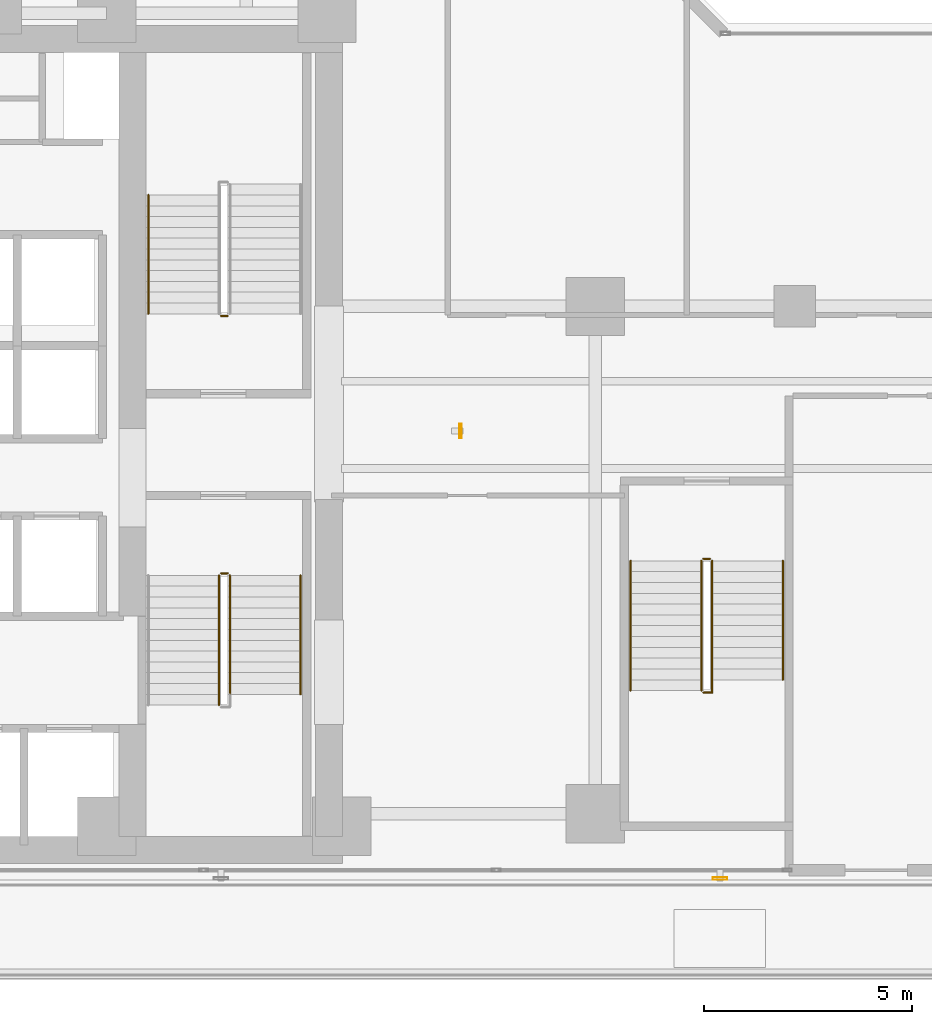
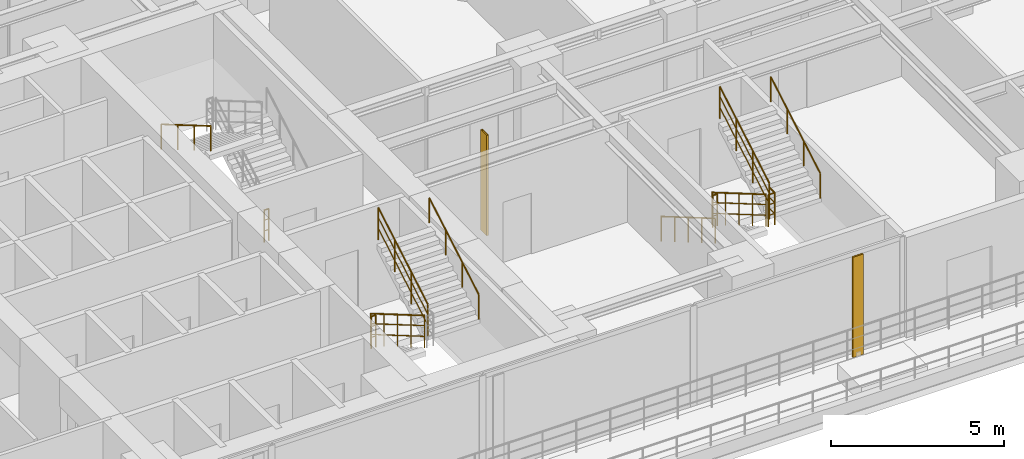
# One storey, part 23 of 26: 12 railings, 2 shading devices.
"""IFC4 building model written with IfcOpenShell, lengths in metres."""

from ifc_helpers import new_model, si_unit, direction, frame, origin, origin_2d, place, context, subcontext, project, spatial, hollow_rectangle, circle, extrude, material, material_profile, profile_set, type_object, element, save


model = new_model("IFC4")

# Units and contexts
model_context = context("Model", 3, precision=1e-05, world=origin(), true_north=direction((0.0, 1.0)))
body_context = subcontext(model_context, "Body", "Model", "MODEL_VIEW")
ifc_project = project(units=[si_unit("LENGTHUNIT", "METRE"), si_unit("AREAUNIT", "SQUARE_METRE"), si_unit("VOLUMEUNIT", "CUBIC_METRE"), si_unit("PLANEANGLEUNIT", "RADIAN"), si_unit("MASSUNIT", "GRAM", prefix="KILO")], contexts=[model_context])

# Site, building, storey
site_placement = place(None, origin())
site = spatial("IfcSite", under=ifc_project, at=site_placement, CompositionType="ELEMENT")
building_placement = place(site_placement, origin())
building = spatial("IfcBuilding", under=site, at=building_placement, Name="Kolvaren Waterfront Exchange", CompositionType="ELEMENT")
storey_placement = place(building_placement, frame((0.0, 0.0, 87.89990234375)))
storey = spatial("IfcBuildingStorey", under=building, at=storey_placement, Name="L22", CompositionType="ELEMENT", Elevation=87.89990234375)

# Shading devices
ifc_material_1 = material(Name="Anodised bronze aluminium 6063-T6", Category="aluminium")
ifc_material_profile = material_profile(ifc_material_1, hollow_rectangle(XDim=0.06005859375, YDim=0.35009765625, WallThickness=0.0048828125, at=origin_2d()), Name="BRZ-FIN-350x60x5")
ifc_profile_set = profile_set([ifc_material_profile], Name="Anodised bronze aluminium 6063-T6")
shading_device_type = type_object("IfcShadingDeviceType", Name="ARC-FIN-350", PredefinedType="USERDEFINED", material=ifc_profile_set)
for number, where, z_axis, x_axis, name in (
    (1, (30.199951171875, 3.639892578125, 0.0), (0.0, 0.0, 1.0), (0.0, -1.0, 0.0), "L22 anodised bronze solar shading fin FIN-L22-S3"),
    (2, (23.9599609375, 14.39990234375, 0.0), (0.0, 0.0, 1.0), (1.0, 0.0, 0.0), "L22 anodised bronze solar shading fin FIN-L22-E1"),
):
    element("IfcShadingDevice", number, at=place(storey_placement, frame(where, z_axis=z_axis, x_axis=x_axis)), inside=storey, type_object=shading_device_type, Name=name, ObjectType="SOLAR FIN", PredefinedType="USERDEFINED", context=body_context, shape_type="SweptSolid", body=[
        extrude(hollow_rectangle(XDim=0.06005859375, YDim=0.35009765625, WallThickness=0.0048828125, at=origin_2d()), origin(), (0.0, 0.0, 1.0), 3.5400390625),
    ])

# Railings
ifc_material_2 = material(Name="Stainless steel 316", Category="steel")
railing_type_1 = type_object("IfcRailingType", Name="ARC-GUARD-STAIR", PredefinedType="GUARDRAIL", material=ifc_material_2)
railing_1_placement = place(storey_placement, frame((18.14990234375, 10.929931640625, 0.152099609375)))
element("IfcRailing", 3, at=railing_1_placement, inside=storey, type_object=railing_type_1, Name="L22 ST1 stair guard 1", PredefinedType="GUARDRAIL", context=body_context, shape_type="SweptSolid", body=[
    extrude(circle(Radius=0.02392578125, at=origin_2d()), frame((0.0, 0.0, 1.1259765625), z_axis=(0.0, -0.86329090724, 0.504706656858), x_axis=(1.0, 0.0, 0.0)), (0.0, 0.0, 1.0), 3.614013671875),
    extrude(circle(Radius=0.01611328125, at=origin_2d()), frame((0.0, 0.0, 0.390869140625), z_axis=(0.0, -0.86329090724, 0.504706656858), x_axis=(1.0, 0.0, 0.0)), (0.0, 0.0, 1.0), 3.614013671875),
    extrude(circle(Radius=0.01611328125, at=origin_2d()), frame((0.0, 0.0, 0.7705078125), z_axis=(0.0, -0.86329090724, 0.504706656858), x_axis=(1.0, 0.0, 0.0)), (0.0, 0.0, 1.0), 3.614013671875),
    extrude(circle(Radius=0.02099609375, at=origin_2d()), origin(), (0.0, 0.0, 1.0), 1.101806640625),
    extrude(circle(Radius=0.02099609375, at=origin_2d()), frame((0.0, -0.780029296875, 0.4560546875)), (0.0, 0.0, 1.0), 1.101806640625),
    extrude(circle(Radius=0.02099609375, at=origin_2d()), frame((0.0, -1.56005859375, 0.912109375)), (0.0, 0.0, 1.0), 1.101806640625),
    extrude(circle(Radius=0.02099609375, at=origin_2d()), frame((0.0, -2.33984375, 1.367919921875)), (0.0, 0.0, 1.0), 1.101806640625),
    extrude(circle(Radius=0.02099609375, at=origin_2d()), frame((0.0, -3.119873046875, 1.823974609375)), (0.0, 0.0, 1.0), 1.101806640625),
])
railing_2_placement = place(storey_placement, frame((18.409912109375, 8.070068359375, 2.128173828125)))
element("IfcRailing", 4, at=railing_2_placement, inside=storey, type_object=railing_type_1, Name="L22 ST1 stair guard 3", PredefinedType="GUARDRAIL", context=body_context, shape_type="SweptSolid", body=[
    extrude(circle(Radius=0.02392578125, at=origin_2d()), frame((0.0, 0.0, 1.1259765625), z_axis=(0.0, 0.86330272217, 0.504686447108), x_axis=(-1.0, 0.0, 0.0)), (0.0, 0.0, 1.0), 3.312744140625),
    extrude(circle(Radius=0.01611328125, at=origin_2d()), frame((0.0, 0.0, 0.390869140625), z_axis=(0.0, 0.86330272217, 0.504686447108), x_axis=(-1.0, 0.0, 0.0)), (0.0, 0.0, 1.0), 3.312744140625),
    extrude(circle(Radius=0.01611328125, at=origin_2d()), frame((0.0, 0.0, 0.7705078125), z_axis=(0.0, 0.86330272217, 0.504686447108), x_axis=(-1.0, 0.0, 0.0)), (0.0, 0.0, 1.0), 3.312744140625),
    extrude(circle(Radius=0.02099609375, at=origin_2d()), origin(), (0.0, 0.0, 1.0), 1.101806640625),
    extrude(circle(Radius=0.02099609375, at=origin_2d()), frame((0.0, 0.953369140625, 0.557373046875)), (0.0, 0.0, 1.0), 1.101806640625),
    extrude(circle(Radius=0.02099609375, at=origin_2d()), frame((0.0, 1.906494140625, 1.114501953125)), (0.0, 0.0, 1.0), 1.101806640625),
    extrude(circle(Radius=0.02099609375, at=origin_2d()), frame((0.0, 2.85986328125, 1.671875)), (0.0, 0.0, 1.0), 1.101806640625),
])
railing_3_placement = place(storey_placement, frame((18.199951171875, 10.97998046875, 0.0)))
element("IfcRailing", 5, at=railing_3_placement, inside=storey, type_object=railing_type_1, Name="L22 ST1 stair guard 4", PredefinedType="GUARDRAIL", context=body_context, shape_type="SweptSolid", body=[
    extrude(circle(Radius=0.02392578125, at=origin_2d()), frame((0.0, 0.0, 1.1259765625), z_axis=(1.0, 0.0, 0.0), x_axis=(0.0, 1.0, 0.0)), (0.0, 0.0, 1.0), 0.16015625),
    extrude(circle(Radius=0.01611328125, at=origin_2d()), frame((0.0, 0.0, 0.390869140625), z_axis=(1.0, 0.0, 0.0), x_axis=(0.0, 1.0, 0.0)), (0.0, 0.0, 1.0), 0.16015625),
    extrude(circle(Radius=0.01611328125, at=origin_2d()), frame((0.0, 0.0, 0.7705078125), z_axis=(1.0, 0.0, 0.0), x_axis=(0.0, 1.0, 0.0)), (0.0, 0.0, 1.0), 0.16015625),
    extrude(circle(Radius=0.02099609375, at=origin_2d()), origin(), (0.0, 0.0, 1.0), 1.101806640625),
    extrude(circle(Radius=0.02099609375, at=origin_2d()), frame((0.16015625, 0.0, 0.0)), (0.0, 0.0, 1.0), 1.101806640625),
])
railing_4_placement = place(storey_placement, frame((18.360107421875, 17.169921875, 0.0)))
element("IfcRailing", 6, at=railing_4_placement, inside=storey, type_object=railing_type_1, Name="L22 ST2 stair guard 4", PredefinedType="GUARDRAIL", context=body_context, shape_type="SweptSolid", body=[
    extrude(circle(Radius=0.02392578125, at=origin_2d()), frame((0.0, 0.0, 1.1259765625), z_axis=(-1.0, 0.0, 0.0), x_axis=(0.0, -1.0, 0.0)), (0.0, 0.0, 1.0), 0.16015625),
    extrude(circle(Radius=0.01611328125, at=origin_2d()), frame((0.0, 0.0, 0.390869140625), z_axis=(-1.0, 0.0, 0.0), x_axis=(0.0, -1.0, 0.0)), (0.0, 0.0, 1.0), 0.16015625),
    extrude(circle(Radius=0.01611328125, at=origin_2d()), frame((0.0, 0.0, 0.7705078125), z_axis=(-1.0, 0.0, 0.0), x_axis=(0.0, -1.0, 0.0)), (0.0, 0.0, 1.0), 0.16015625),
    extrude(circle(Radius=0.02099609375, at=origin_2d()), origin(), (0.0, 0.0, 1.0), 1.101806640625),
    extrude(circle(Radius=0.02099609375, at=origin_2d()), frame((-0.16015625, 0.0, 0.0)), (0.0, 0.0, 1.0), 1.101806640625),
])
railing_5_placement = place(storey_placement, frame((29.75, 11.280029296875, 0.152099609375)))
element("IfcRailing", 7, at=railing_5_placement, inside=storey, type_object=railing_type_1, Name="L22 ST3 stair guard 1", PredefinedType="GUARDRAIL", context=body_context, shape_type="SweptSolid", body=[
    extrude(circle(Radius=0.02392578125, at=origin_2d()), frame((0.0, 0.0, 1.1259765625), z_axis=(0.0, -0.86330811405, 0.504677223793), x_axis=(1.0, 0.0, 0.0)), (0.0, 0.0, 1.0), 3.6142578125),
    extrude(circle(Radius=0.01611328125, at=origin_2d()), frame((0.0, 0.0, 0.390869140625), z_axis=(0.0, -0.86330811405, 0.504677223793), x_axis=(1.0, 0.0, 0.0)), (0.0, 0.0, 1.0), 3.6142578125),
    extrude(circle(Radius=0.01611328125, at=origin_2d()), frame((0.0, 0.0, 0.7705078125), z_axis=(0.0, -0.86330811405, 0.504677223793), x_axis=(1.0, 0.0, 0.0)), (0.0, 0.0, 1.0), 3.6142578125),
    extrude(circle(Radius=0.02099609375, at=origin_2d()), origin(), (0.0, 0.0, 1.0), 1.101806640625),
    extrude(circle(Radius=0.02099609375, at=origin_2d()), frame((0.0, -0.780029296875, 0.4560546875)), (0.0, 0.0, 1.0), 1.101806640625),
    extrude(circle(Radius=0.02099609375, at=origin_2d()), frame((0.0, -1.56005859375, 0.912109375)), (0.0, 0.0, 1.0), 1.101806640625),
    extrude(circle(Radius=0.02099609375, at=origin_2d()), frame((0.0, -2.340087890625, 1.367919921875)), (0.0, 0.0, 1.0), 1.101806640625),
    extrude(circle(Radius=0.02099609375, at=origin_2d()), frame((0.0, -3.1201171875, 1.823974609375)), (0.0, 0.0, 1.0), 1.101806640625),
])
railing_6_placement = place(storey_placement, frame((29.800048828125, 8.110107421875, 1.97607421875)))
element("IfcRailing", 8, at=railing_6_placement, inside=storey, type_object=railing_type_1, Name="L22 ST3 stair guard 2", PredefinedType="GUARDRAIL", context=body_context, shape_type="SweptSolid", body=[
    extrude(circle(Radius=0.02392578125, at=origin_2d()), frame((0.0, 0.0, 1.1259765625), z_axis=(1.0, 0.0, 0.0), x_axis=(0.0, 1.0, 0.0)), (0.0, 0.0, 1.0), 0.2099609375),
    extrude(circle(Radius=0.01611328125, at=origin_2d()), frame((0.0, 0.0, 0.390869140625), z_axis=(1.0, 0.0, 0.0), x_axis=(0.0, 1.0, 0.0)), (0.0, 0.0, 1.0), 0.2099609375),
    extrude(circle(Radius=0.01611328125, at=origin_2d()), frame((0.0, 0.0, 0.7705078125), z_axis=(1.0, 0.0, 0.0), x_axis=(0.0, 1.0, 0.0)), (0.0, 0.0, 1.0), 0.2099609375),
    extrude(circle(Radius=0.02392578125, at=origin_2d()), frame((0.2099609375, 0.0, 1.1259765625), z_axis=(0.0, 1.0, 0.0), x_axis=(-1.0, 0.0, 0.0)), (0.0, 0.0, 1.0), 0.309814453125),
    extrude(circle(Radius=0.01611328125, at=origin_2d()), frame((0.2099609375, 0.0, 0.390869140625), z_axis=(0.0, 1.0, 0.0), x_axis=(-1.0, 0.0, 0.0)), (0.0, 0.0, 1.0), 0.309814453125),
    extrude(circle(Radius=0.01611328125, at=origin_2d()), frame((0.2099609375, 0.0, 0.7705078125), z_axis=(0.0, 1.0, 0.0), x_axis=(-1.0, 0.0, 0.0)), (0.0, 0.0, 1.0), 0.309814453125),
    extrude(circle(Radius=0.02099609375, at=origin_2d()), origin(), (0.0, 0.0, 1.0), 1.101806640625),
    extrude(circle(Radius=0.02099609375, at=origin_2d()), frame((0.2099609375, 0.0, 0.0)), (0.0, 0.0, 1.0), 1.101806640625),
    extrude(circle(Radius=0.02099609375, at=origin_2d()), frame((0.2099609375, 0.309814453125, 0.0)), (0.0, 0.0, 1.0), 1.101806640625),
])
railing_7_placement = place(storey_placement, frame((30.010009765625, 8.419921875, 2.128173828125)))
element("IfcRailing", 9, at=railing_7_placement, inside=storey, type_object=railing_type_1, Name="L22 ST3 stair guard 3", PredefinedType="GUARDRAIL", context=body_context, shape_type="SweptSolid", body=[
    extrude(circle(Radius=0.02392578125, at=origin_2d()), frame((0.0, 0.0, 1.1259765625), z_axis=(0.0, 0.863321491973, 0.504654338629), x_axis=(-1.0, 0.0, 0.0)), (0.0, 0.0, 1.0), 3.31298828125),
    extrude(circle(Radius=0.01611328125, at=origin_2d()), frame((0.0, 0.0, 0.390869140625), z_axis=(0.0, 0.863321491973, 0.504654338629), x_axis=(-1.0, 0.0, 0.0)), (0.0, 0.0, 1.0), 3.31298828125),
    extrude(circle(Radius=0.01611328125, at=origin_2d()), frame((0.0, 0.0, 0.7705078125), z_axis=(0.0, 0.863321491973, 0.504654338629), x_axis=(-1.0, 0.0, 0.0)), (0.0, 0.0, 1.0), 3.31298828125),
    extrude(circle(Radius=0.02099609375, at=origin_2d()), origin(), (0.0, 0.0, 1.0), 1.101806640625),
    extrude(circle(Radius=0.02099609375, at=origin_2d()), frame((0.0, 0.953369140625, 0.557373046875)), (0.0, 0.0, 1.0), 1.101806640625),
    extrude(circle(Radius=0.02099609375, at=origin_2d()), frame((0.0, 1.90673828125, 1.114501953125)), (0.0, 0.0, 1.0), 1.101806640625),
    extrude(circle(Radius=0.02099609375, at=origin_2d()), frame((0.0, 2.860107421875, 1.671875)), (0.0, 0.0, 1.0), 1.101806640625),
])
railing_8_placement = place(storey_placement, frame((29.800048828125, 11.330078125, 0.0)))
element("IfcRailing", 10, at=railing_8_placement, inside=storey, type_object=railing_type_1, Name="L22 ST3 stair guard 4", PredefinedType="GUARDRAIL", context=body_context, shape_type="SweptSolid", body=[
    extrude(circle(Radius=0.02392578125, at=origin_2d()), frame((0.0, 0.0, 1.1259765625), z_axis=(1.0, 0.0, 0.0), x_axis=(0.0, 1.0, 0.0)), (0.0, 0.0, 1.0), 0.159912109375),
    extrude(circle(Radius=0.01611328125, at=origin_2d()), frame((0.0, 0.0, 0.390869140625), z_axis=(1.0, 0.0, 0.0), x_axis=(0.0, 1.0, 0.0)), (0.0, 0.0, 1.0), 0.159912109375),
    extrude(circle(Radius=0.01611328125, at=origin_2d()), frame((0.0, 0.0, 0.7705078125), z_axis=(1.0, 0.0, 0.0), x_axis=(0.0, 1.0, 0.0)), (0.0, 0.0, 1.0), 0.159912109375),
    extrude(circle(Radius=0.02099609375, at=origin_2d()), origin(), (0.0, 0.0, 1.0), 1.101806640625),
    extrude(circle(Radius=0.02099609375, at=origin_2d()), frame((0.159912109375, 0.0, 0.0)), (0.0, 0.0, 1.0), 1.101806640625),
])
railing_type_2 = type_object("IfcRailingType", Name="ARC-HANDRAIL-900", PredefinedType="HANDRAIL", material=ifc_material_2)
railing_9_placement = place(storey_placement, frame((20.110107421875, 8.070068359375, 2.128173828125)))
element("IfcRailing", 11, at=railing_9_placement, inside=storey, type_object=railing_type_2, Name="L22 ST1 stair handrail 2", PredefinedType="HANDRAIL", context=body_context, shape_type="SweptSolid", body=[
    extrude(circle(Radius=0.02392578125, at=origin_2d()), frame((0.0, 0.0, 0.8759765625), z_axis=(0.0, 0.86330272217, 0.504686447108), x_axis=(-1.0, 0.0, 0.0)), (0.0, 0.0, 1.0), 3.312744140625),
    extrude(circle(Radius=0.02099609375, at=origin_2d()), origin(), (0.0, 0.0, 1.0), 0.851806640625),
    extrude(circle(Radius=0.02099609375, at=origin_2d()), frame((0.0, 0.953369140625, 0.557373046875)), (0.0, 0.0, 1.0), 0.851806640625),
    extrude(circle(Radius=0.02099609375, at=origin_2d()), frame((0.0, 1.906494140625, 1.114501953125)), (0.0, 0.0, 1.0), 0.851806640625),
    extrude(circle(Radius=0.02099609375, at=origin_2d()), frame((0.0, 2.85986328125, 1.671875)), (0.0, 0.0, 1.0), 0.851806640625),
])
railing_10_placement = place(storey_placement, frame((16.449951171875, 20.080078125, 2.128173828125)))
element("IfcRailing", 12, at=railing_10_placement, inside=storey, type_object=railing_type_2, Name="L22 ST2 stair handrail 2", PredefinedType="HANDRAIL", context=body_context, shape_type="SweptSolid", body=[
    extrude(circle(Radius=0.02392578125, at=origin_2d()), frame((0.0, 0.0, 0.8759765625), z_axis=(0.0, -0.863321491973, 0.504654338629), x_axis=(1.0, 0.0, 0.0)), (0.0, 0.0, 1.0), 3.31298828125),
    extrude(circle(Radius=0.02099609375, at=origin_2d()), origin(), (0.0, 0.0, 1.0), 0.851806640625),
    extrude(circle(Radius=0.02099609375, at=origin_2d()), frame((0.0, -0.953369140625, 0.557373046875)), (0.0, 0.0, 1.0), 0.851806640625),
    extrude(circle(Radius=0.02099609375, at=origin_2d()), frame((0.0, -1.90673828125, 1.114501953125)), (0.0, 0.0, 1.0), 0.851806640625),
    extrude(circle(Radius=0.02099609375, at=origin_2d()), frame((0.0, -2.860107421875, 1.671875)), (0.0, 0.0, 1.0), 0.851806640625),
])
railing_11_placement = place(storey_placement, frame((28.050048828125, 11.280029296875, 0.152099609375)))
element("IfcRailing", 13, at=railing_11_placement, inside=storey, type_object=railing_type_2, Name="L22 ST3 stair handrail 1", PredefinedType="HANDRAIL", context=body_context, shape_type="SweptSolid", body=[
    extrude(circle(Radius=0.02392578125, at=origin_2d()), frame((0.0, 0.0, 0.8759765625), z_axis=(0.0, -0.86330811405, 0.504677223793), x_axis=(1.0, 0.0, 0.0)), (0.0, 0.0, 1.0), 3.6142578125),
    extrude(circle(Radius=0.02099609375, at=origin_2d()), origin(), (0.0, 0.0, 1.0), 0.851806640625),
    extrude(circle(Radius=0.02099609375, at=origin_2d()), frame((0.0, -0.780029296875, 0.4560546875)), (0.0, 0.0, 1.0), 0.851806640625),
    extrude(circle(Radius=0.02099609375, at=origin_2d()), frame((0.0, -1.56005859375, 0.912109375)), (0.0, 0.0, 1.0), 0.851806640625),
    extrude(circle(Radius=0.02099609375, at=origin_2d()), frame((0.0, -2.340087890625, 1.367919921875)), (0.0, 0.0, 1.0), 0.851806640625),
    extrude(circle(Radius=0.02099609375, at=origin_2d()), frame((0.0, -3.1201171875, 1.823974609375)), (0.0, 0.0, 1.0), 0.851806640625),
])
railing_12_placement = place(storey_placement, frame((31.7099609375, 8.419921875, 2.128173828125)))
element("IfcRailing", 14, at=railing_12_placement, inside=storey, type_object=railing_type_2, Name="L22 ST3 stair handrail 2", PredefinedType="HANDRAIL", context=body_context, shape_type="SweptSolid", body=[
    extrude(circle(Radius=0.02392578125, at=origin_2d()), frame((0.0, 0.0, 0.8759765625), z_axis=(0.0, 0.863321491973, 0.504654338629), x_axis=(-1.0, 0.0, 0.0)), (0.0, 0.0, 1.0), 3.31298828125),
    extrude(circle(Radius=0.02099609375, at=origin_2d()), origin(), (0.0, 0.0, 1.0), 0.851806640625),
    extrude(circle(Radius=0.02099609375, at=origin_2d()), frame((0.0, 0.953369140625, 0.557373046875)), (0.0, 0.0, 1.0), 0.851806640625),
    extrude(circle(Radius=0.02099609375, at=origin_2d()), frame((0.0, 1.90673828125, 1.114501953125)), (0.0, 0.0, 1.0), 0.851806640625),
    extrude(circle(Radius=0.02099609375, at=origin_2d()), frame((0.0, 2.860107421875, 1.671875)), (0.0, 0.0, 1.0), 0.851806640625),
])

save(model, "model.ifc")
